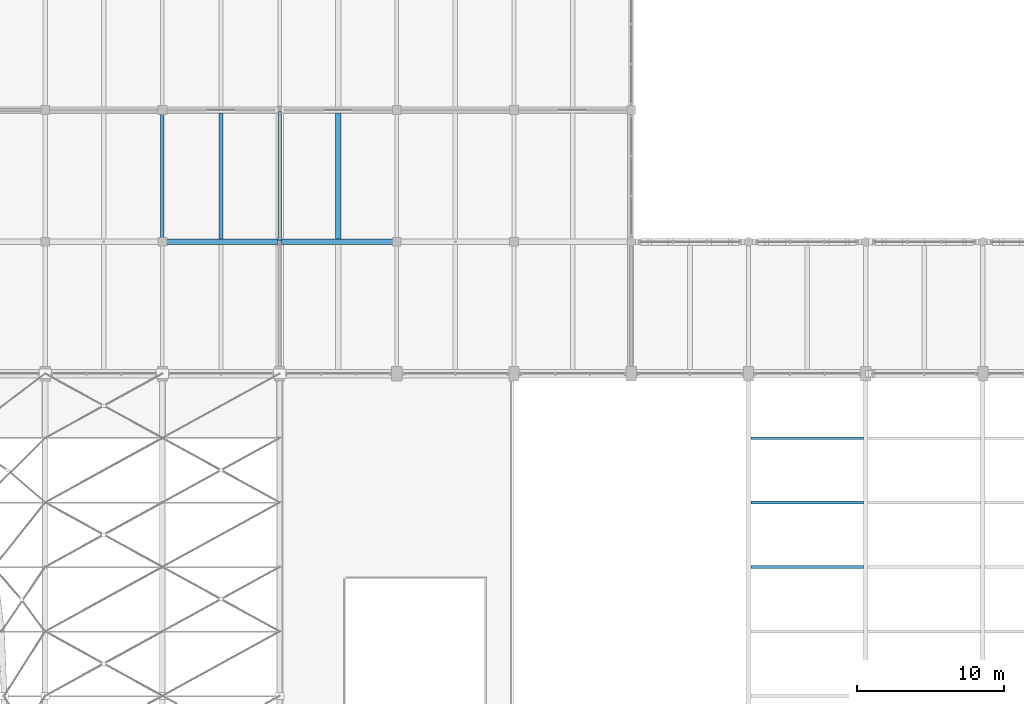
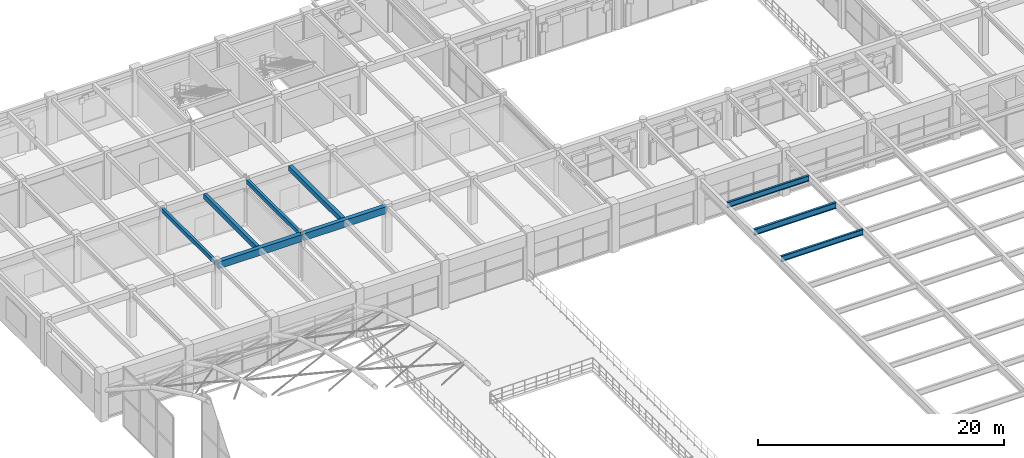
# One storey, part 40 of 144: 9 beams.
"""IFC4 building model written with IfcOpenShell, lengths in metres."""

from ifc_helpers import new_model, si_unit, direction, frame, origin, origin_2d, place, context, subcontext, project, spatial, rectangle, i_section, extrude, material, material_profile, profile_set, type_object, element, save


model = new_model("IFC4")

# Units and contexts
model_context = context("Model", 3, precision=1e-05, world=origin(), true_north=direction((0.0, 1.0)))
body_context = subcontext(model_context, "Body", "Model", "MODEL_VIEW")
ifc_project = project(units=[si_unit("LENGTHUNIT", "METRE"), si_unit("AREAUNIT", "SQUARE_METRE"), si_unit("VOLUMEUNIT", "CUBIC_METRE"), si_unit("PLANEANGLEUNIT", "RADIAN"), si_unit("MASSUNIT", "GRAM", prefix="KILO")], contexts=[model_context])

# Site, building, storey
site_placement = place(None, origin())
site = spatial("IfcSite", under=ifc_project, at=site_placement, CompositionType="ELEMENT")
building_placement = place(site_placement, origin())
building = spatial("IfcBuilding", under=site, at=building_placement, Name="Varnabhumi Central Station", CompositionType="ELEMENT")
storey_placement = place(building_placement, frame((0.0, 0.0, 4.800048828125)))
storey = spatial("IfcBuildingStorey", under=building, at=storey_placement, Name="L01", CompositionType="ELEMENT", Elevation=4.800048828125)

# Beams
ifc_material_1 = material(Name="Structural steel E350", Category="steel")
ifc_material_profile_1 = material_profile(ifc_material_1, i_section(OverallWidth=0.18994140625, OverallDepth=0.550048828125, WebThickness=0.01123046875, FlangeThickness=0.019287109375, FilletRadius=0.01806640625, at=origin_2d()), Name="Structural steel E350", Category="steel")
ifc_profile_set_1 = profile_set([ifc_material_profile_1], Name="Structural steel E350")
beam_type_1 = type_object("IfcBeamType", Name="BM-JST-ISMB550", PredefinedType="JOIST", material=ifc_profile_set_1)
for number, where, z_axis, x_axis, name in (
    (1, (56.155029296875, 66.800048828125, 4.204833984375), (1.0, 0.0, 0.0), (0.0, 1.0, 0.0), "Concourse Stringer 8-9-S7"),
    (2, (56.155029296875, 75.60009765625, 4.204833984375), (1.0, 0.0, 0.0), (0.0, 1.0, 0.0), "Concourse Stringer 8-9-S9"),
):
    element("IfcBeam", number, at=place(storey_placement, frame(where, z_axis=z_axis, x_axis=x_axis)), inside=storey, type_object=beam_type_1, Name=name, PredefinedType="JOIST", context=body_context, shape_type="SweptSolid", body=[
        extrude(i_section(OverallWidth=0.18994140625, OverallDepth=0.550048828125, WebThickness=0.01123046875, FlangeThickness=0.019287109375, FilletRadius=0.01806640625, at=origin_2d()), origin(), (0.0, 0.0, 1.0), 7.68994140625),
    ])
ifc_material_profile_2 = material_profile(ifc_material_1, i_section(OverallWidth=0.2099609375, OverallDepth=0.60009765625, WebThickness=0.011962890625, FlangeThickness=0.020751953125, FilletRadius=0.02001953125, at=origin_2d()), Name="Structural steel E350", Category="steel")
ifc_profile_set_2 = profile_set([ifc_material_profile_2], Name="Structural steel E350")
beam_type_2 = type_object("IfcBeamType", Name="BM-JST-ISMB600", PredefinedType="JOIST", material=ifc_profile_set_2)
beam_1_placement = place(storey_placement, frame((56.155029296875, 71.199951171875, 4.179931640625), z_axis=(1.0, 0.0, 0.0), x_axis=(0.0, 1.0, 0.0)))
element("IfcBeam", 3, at=beam_1_placement, inside=storey, type_object=beam_type_2, Name="Concourse Stringer 8-9-S8", PredefinedType="JOIST", context=body_context, shape_type="SweptSolid", body=[
    extrude(i_section(OverallWidth=0.2099609375, OverallDepth=0.60009765625, WebThickness=0.011962890625, FlangeThickness=0.020751953125, FilletRadius=0.02001953125, at=origin_2d()), origin(), (0.0, 0.0, 1.0), 7.68994140625),
])
ifc_material_2 = material(Name="Concrete M35", Category="concrete")
ifc_material_profile_3 = material_profile(ifc_material_2, rectangle(XDim=0.25, YDim=0.39990234375, at=origin_2d()), Name="Concrete M35", Category="concrete")
ifc_profile_set_3 = profile_set([ifc_material_profile_3], Name="Concrete M35")
beam_type_3 = type_object("IfcBeamType", Name="BM-RC-250x400", PredefinedType="LINTEL", material=ifc_profile_set_3)
for number, where, z_axis, x_axis, name in (
    (4, (16.0, 89.10009765625, 4.349853515625), (0.0, 1.0, 0.0), (-1.0, 0.0, 0.0), "Beam L01-3:L-M"),
    (5, (24.0, 89.10009765625, 4.349853515625), (0.0, 1.0, 0.0), (-1.0, 0.0, 0.0), "Beam L01-4:L-M"),
):
    element("IfcBeam", number, at=place(storey_placement, frame(where, z_axis=z_axis, x_axis=x_axis)), inside=storey, type_object=beam_type_3, Name=name, PredefinedType="LINTEL", context=body_context, shape_type="SweptSolid", body=[
        extrude(rectangle(XDim=0.25, YDim=0.39990234375, at=origin_2d()), origin(), (0.0, 0.0, 1.0), 8.7998046875),
    ])
ifc_material_3 = material(Name="Concrete M40", Category="concrete")
ifc_material_profile_4 = material_profile(ifc_material_3, rectangle(XDim=0.300048828125, YDim=0.5, at=origin_2d()), Name="Concrete M40", Category="concrete")
ifc_profile_set_4 = profile_set([ifc_material_profile_4], Name="Concrete M40")
beam_type_4 = type_object("IfcBeamType", Name="BM-RC-300x500", PredefinedType="JOIST", material=ifc_profile_set_4)
beam_2_placement = place(storey_placement, frame((20.0, 89.199951171875, 4.300048828125), z_axis=(0.0, 1.0, 0.0), x_axis=(-1.0, 0.0, 0.0)))
element("IfcBeam", 6, at=beam_2_placement, inside=storey, type_object=beam_type_4, Name="Secondary Joist L01-3/4:L-M", PredefinedType="JOIST", context=body_context, shape_type="SweptSolid", body=[
    extrude(rectangle(XDim=0.300048828125, YDim=0.5, at=origin_2d()), origin(), (0.0, 0.0, 1.0), 8.60009765625),
])
ifc_material_profile_5 = material_profile(ifc_material_3, rectangle(XDim=0.35009765625, YDim=0.5, at=origin_2d()), Name="Concrete M40", Category="concrete")
ifc_profile_set_5 = profile_set([ifc_material_profile_5], Name="Concrete M40")
beam_type_5 = type_object("IfcBeamType", Name="BM-RC-350x500", PredefinedType="JOIST", material=ifc_profile_set_5)
beam_3_placement = place(storey_placement, frame((28.0, 89.199951171875, 4.300048828125), z_axis=(0.0, 1.0, 0.0), x_axis=(-1.0, 0.0, 0.0)))
element("IfcBeam", 7, at=beam_3_placement, inside=storey, type_object=beam_type_5, Name="Secondary Joist L01-4/5:L-M", PredefinedType="JOIST", context=body_context, shape_type="SweptSolid", body=[
    extrude(rectangle(XDim=0.35009765625, YDim=0.5, at=origin_2d()), origin(), (0.0, 0.0, 1.0), 8.60009765625),
])
ifc_material_profile_6 = material_profile(ifc_material_3, rectangle(XDim=0.39990234375, YDim=0.699951171875, at=origin_2d()), Name="Concrete M40", Category="concrete")
ifc_profile_set_6 = profile_set([ifc_material_profile_6], Name="Concrete M40")
beam_type_6 = type_object("IfcBeamType", Name="BM-RC-400x700", PredefinedType="BEAM", material=ifc_profile_set_6)
for number, where, z_axis, x_axis, name in (
    (8, (16.10009765625, 89.0, 4.199951171875), (1.0, 0.0, 0.0), (0.0, 1.0, 0.0), "Beam L01-L:3-4"),
    (9, (24.10009765625, 89.0, 4.199951171875), (1.0, 0.0, 0.0), (0.0, 1.0, 0.0), "Beam L01-L:4-5"),
):
    element("IfcBeam", number, at=place(storey_placement, frame(where, z_axis=z_axis, x_axis=x_axis)), inside=storey, type_object=beam_type_6, Name=name, PredefinedType="BEAM", context=body_context, shape_type="SweptSolid", body=[
        extrude(rectangle(XDim=0.39990234375, YDim=0.699951171875, at=origin_2d()), origin(), (0.0, 0.0, 1.0), 7.7998046875),
    ])

save(model, "model.ifc")
